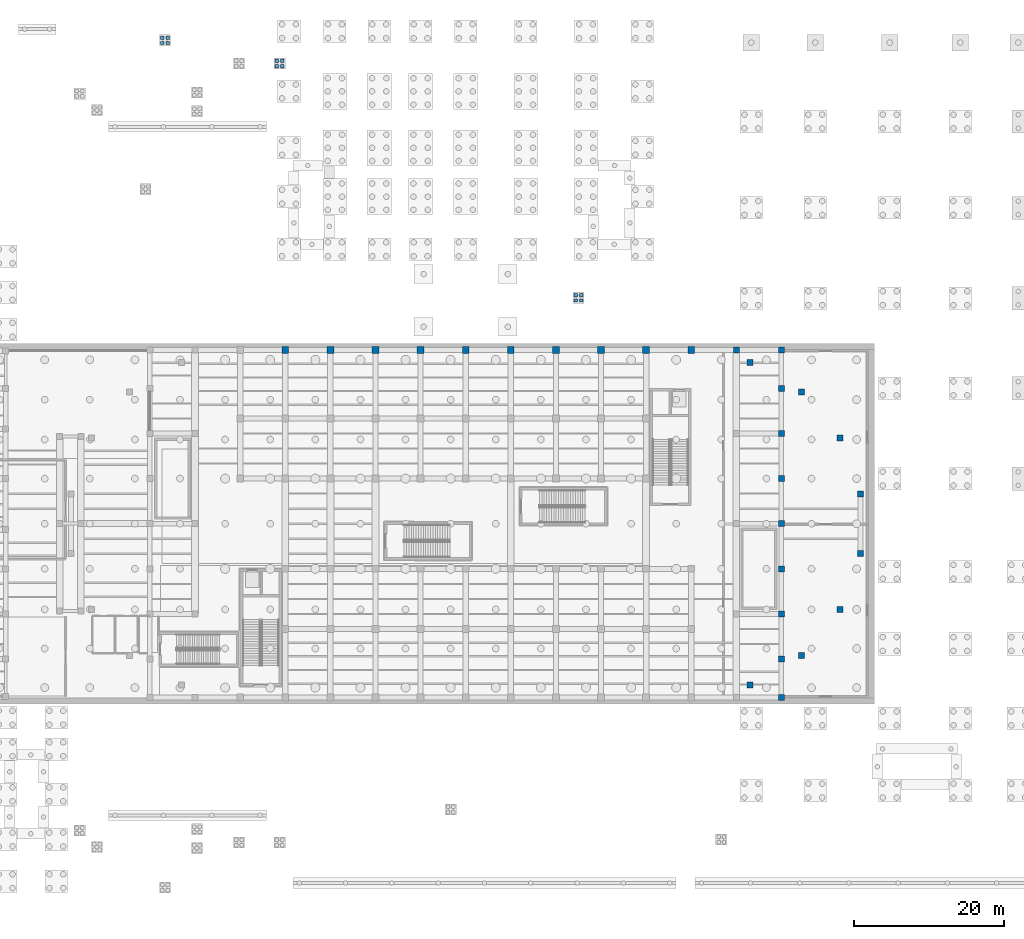
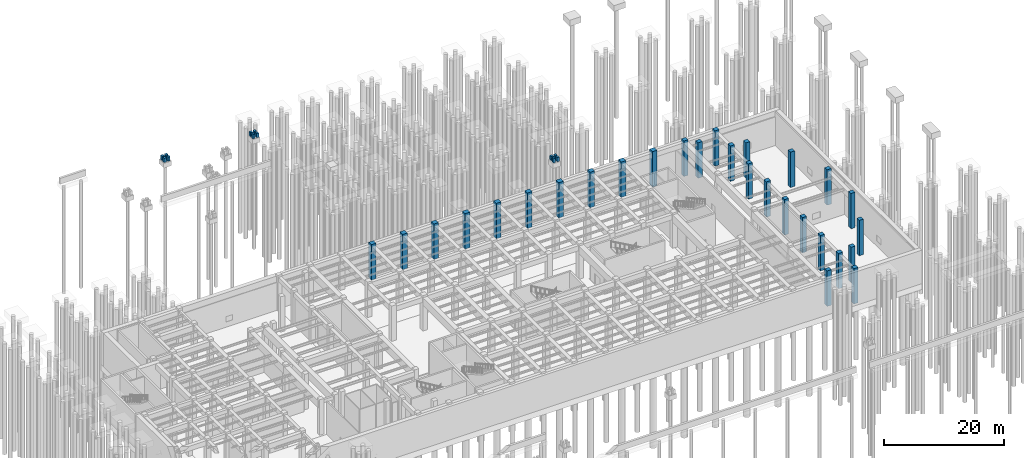
# One storey, part 8 of 30: 40 columns.
"""IFC4 building model written with IfcOpenShell, lengths in metres."""

from ifc_helpers import new_model, si_unit, direction, frame, origin, origin_2d, place, context, subcontext, project, spatial, rectangle, extrude, material, material_profile, profile_set, type_object, element, save


model = new_model("IFC4")

# Units and contexts
model_context = context("Model", 3, precision=1e-05, world=origin(), true_north=direction((0.0, 1.0)))
body_context = subcontext(model_context, "Body", "Model", "MODEL_VIEW")
ifc_project = project(units=[si_unit("LENGTHUNIT", "METRE"), si_unit("AREAUNIT", "SQUARE_METRE"), si_unit("VOLUMEUNIT", "CUBIC_METRE"), si_unit("PLANEANGLEUNIT", "RADIAN"), si_unit("MASSUNIT", "GRAM", prefix="KILO")], contexts=[model_context])

# Site, building, storey
site_placement = place(None, origin())
site = spatial("IfcSite", under=ifc_project, at=site_placement, CompositionType="ELEMENT")
building_placement = place(site_placement, origin())
building = spatial("IfcBuilding", under=site, at=building_placement, Name="Kolvaren Corner Interchange", CompositionType="ELEMENT")
storey_placement = place(building_placement, frame((0.0, 0.0, -7.199951171875)))
storey = spatial("IfcBuildingStorey", under=building, at=storey_placement, Name="B1", CompositionType="ELEMENT", Elevation=-7.199951171875)

# Columns
ifc_material_1 = material(Name="Concrete C35/45", Category="concrete")
ifc_material_profile_1 = material_profile(ifc_material_1, rectangle(XDim=0.449951171875, YDim=0.449951171875, at=origin_2d()), Name="RC 450x450")
ifc_profile_set_1 = profile_set([ifc_material_profile_1], Name="Concrete C35/45")
column_type_1 = type_object("IfcColumnType", Name="COL-RC450", PredefinedType="COLUMN", material=ifc_profile_set_1)
for number, where, z_axis, x_axis, name in (
    (1, (49.639892578125, 111.93994140625, 4.619873046875), (0.0, 0.0, 1.0), (1.0, 0.0, 0.0), "Street Sidewalk Plinth Pier 005"),
    (2, (49.639892578125, 112.659912109375, 4.619873046875), (0.0, 0.0, 1.0), (1.0, 0.0, 0.0), "Street Sidewalk Plinth Pier 006"),
    (3, (50.360107421875, 111.93994140625, 4.619873046875), (0.0, 0.0, 1.0), (1.0, 0.0, 0.0), "Street Sidewalk Plinth Pier 007"),
    (4, (50.360107421875, 112.659912109375, 4.619873046875), (0.0, 0.0, 1.0), (1.0, 0.0, 0.0), "Street Sidewalk Plinth Pier 008"),
    (5, (64.889892578125, 108.840087890625, 5.969970703125), (0.0, 0.0, 1.0), (1.0, 0.0, 0.0), "Northwest Cycle Hub Civic Steps Top Plinth Pier 021"),
    (6, (64.889892578125, 109.56005859375, 5.969970703125), (0.0, 0.0, 1.0), (1.0, 0.0, 0.0), "Northwest Cycle Hub Civic Steps Top Plinth Pier 022"),
    (7, (65.610107421875, 108.840087890625, 5.969970703125), (0.0, 0.0, 1.0), (1.0, 0.0, 0.0), "Northwest Cycle Hub Civic Steps Top Plinth Pier 023"),
    (8, (65.610107421875, 109.56005859375, 5.969970703125), (0.0, 0.0, 1.0), (1.0, 0.0, 0.0), "Northwest Cycle Hub Civic Steps Top Plinth Pier 024"),
):
    element("IfcColumn", number, at=place(storey_placement, frame(where, z_axis=z_axis, x_axis=x_axis)), inside=storey, type_object=column_type_1, Name=name, PredefinedType="COLUMN", context=body_context, shape_type="SweptSolid", body=[
        extrude(rectangle(XDim=0.449951171875, YDim=0.449951171875, at=origin_2d()), origin(), (0.0, 0.0, 1.0), 0.85009765625),
    ])
for number, where, z_axis, x_axis, name in (
    (9, (104.639892578125, 77.68994140625, 6.06005859375), (0.0, 0.0, 1.0), (1.0, 0.0, 0.0), "Level 01 North Monsoon Retention Court Paving Slab Plinth Pier 061"),
    (10, (104.639892578125, 78.409912109375, 6.06005859375), (0.0, 0.0, 1.0), (1.0, 0.0, 0.0), "Level 01 North Monsoon Retention Court Paving Slab Plinth Pier 062"),
    (11, (105.360107421875, 77.68994140625, 6.06005859375), (0.0, 0.0, 1.0), (1.0, 0.0, 0.0), "Level 01 North Monsoon Retention Court Paving Slab Plinth Pier 063"),
    (12, (105.360107421875, 78.409912109375, 6.06005859375), (0.0, 0.0, 1.0), (1.0, 0.0, 0.0), "Level 01 North Monsoon Retention Court Paving Slab Plinth Pier 064"),
):
    element("IfcColumn", number, at=place(storey_placement, frame(where, z_axis=z_axis, x_axis=x_axis)), inside=storey, type_object=column_type_1, Name=name, PredefinedType="COLUMN", context=body_context, shape_type="SweptSolid", body=[
        extrude(rectangle(XDim=0.449951171875, YDim=0.449951171875, at=origin_2d()), origin(), (0.0, 0.0, 1.0), 0.849853515625),
    ])
ifc_material_2 = material(Name="Concrete C40/50", Category="concrete")
ifc_material_profile_2 = material_profile(ifc_material_2, rectangle(XDim=0.800048828125, YDim=0.800048828125, at=origin_2d()), Name="RC 800x800")
ifc_profile_set_2 = profile_set([ifc_material_profile_2], Name="Concrete C40/50")
column_type_2 = type_object("IfcColumnType", Name="COL-RC800", PredefinedType="COLUMN", material=ifc_profile_set_2)
for number, where, z_axis, x_axis, name in (
    (13, (126.0, 71.10009765625, 0.0), (0.0, 0.0, 1.0), (1.0, 0.0, 0.0), "Storey B1 Structural Column 0743"),
    (14, (132.0, 24.89990234375, 0.0), (0.0, 0.0, 1.0), (1.0, 0.0, 0.0), "Storey B1 Structural Column 0747"),
    (15, (132.0, 30.0, 0.0), (0.0, 0.0, 1.0), (1.0, 0.0, 0.0), "Storey B1 Structural Column 0751"),
    (16, (132.0, 36.0, 0.0), (0.0, 0.0, 1.0), (1.0, 0.0, 0.0), "Storey B1 Structural Column 0755"),
    (17, (132.0, 42.0, 0.0), (0.0, 0.0, 1.0), (1.0, 0.0, 0.0), "Storey B1 Structural Column 0759"),
    (18, (132.0, 48.0, 0.0), (0.0, 0.0, 1.0), (1.0, 0.0, 0.0), "Storey B1 Structural Column 0763"),
    (19, (132.0, 54.0, 0.0), (0.0, 0.0, 1.0), (1.0, 0.0, 0.0), "Storey B1 Structural Column 0767"),
    (20, (132.0, 60.0, 0.0), (0.0, 0.0, 1.0), (1.0, 0.0, 0.0), "Storey B1 Structural Column 0771"),
    (21, (132.0, 66.0, 0.0), (0.0, 0.0, 1.0), (1.0, 0.0, 0.0), "Storey B1 Structural Column 0775"),
    (22, (132.0, 71.10009765625, 0.0), (0.0, 0.0, 1.0), (1.0, 0.0, 0.0), "Storey B1 Structural Column 0779"),
    (23, (127.81494140625, 26.528076171875, 0.0), (0.0, 0.0, 1.0), (1.0, 0.0, 0.0), "Storey B1 Structural Column 0815"),
    (24, (134.68798828125, 30.49609375, 0.0), (0.0, 0.0, 1.0), (1.0, 0.0, 0.0), "Storey B1 Structural Column 0819"),
    (25, (139.7890625, 36.574951171875, 0.0), (0.0, 0.0, 1.0), (1.0, 0.0, 0.0), "Storey B1 Structural Column 0823"),
    (26, (142.5029296875, 44.031982421875, 0.0), (0.0, 0.0, 1.0), (1.0, 0.0, 0.0), "Storey B1 Structural Column 0827"),
    (27, (142.5029296875, 51.968017578125, 0.0), (0.0, 0.0, 1.0), (1.0, 0.0, 0.0), "Storey B1 Structural Column 0831"),
    (28, (139.7890625, 59.425048828125, 0.0), (0.0, 0.0, 1.0), (1.0, 0.0, 0.0), "Storey B1 Structural Column 0835"),
    (29, (134.68798828125, 65.50390625, 0.0), (0.0, 0.0, 1.0), (1.0, 0.0, 0.0), "Storey B1 Structural Column 0839"),
    (30, (127.81494140625, 69.471923828125, 0.0), (0.0, 0.0, 1.0), (1.0, 0.0, 0.0), "Storey B1 Structural Column 0843"),
):
    element("IfcColumn", number, at=place(storey_placement, frame(where, z_axis=z_axis, x_axis=x_axis)), inside=storey, type_object=column_type_2, Name=name, PredefinedType="COLUMN", context=body_context, shape_type="SweptSolid", body=[
        extrude(rectangle(XDim=0.800048828125, YDim=0.800048828125, at=origin_2d()), origin(), (0.0, 0.0, 1.0), 7.199951171875),
    ])
ifc_material_3 = material(Name="Concrete C40/50", Category="concrete")
ifc_material_profile_3 = material_profile(ifc_material_3, rectangle(XDim=0.89990234375, YDim=0.89990234375, at=origin_2d()), Name="RC 900x900")
ifc_profile_set_3 = profile_set([ifc_material_profile_3], Name="Concrete C40/50")
column_type_3 = type_object("IfcColumnType", Name="COL-RC900", PredefinedType="COLUMN", material=ifc_profile_set_3)
for number, where, z_axis, x_axis, name in (
    (31, (66.0, 71.10009765625, 0.0), (0.0, 0.0, 1.0), (1.0, 0.0, 0.0), "Storey B1 Structural Column 0499"),
    (32, (72.0, 71.10009765625, 0.0), (0.0, 0.0, 1.0), (1.0, 0.0, 0.0), "Storey B1 Structural Column 0519"),
    (33, (78.0, 71.10009765625, 0.0), (0.0, 0.0, 1.0), (1.0, 0.0, 0.0), "Storey B1 Structural Column 0539"),
    (34, (84.0, 71.10009765625, 0.0), (0.0, 0.0, 1.0), (1.0, 0.0, 0.0), "Storey B1 Structural Column 0559"),
    (35, (90.0, 71.10009765625, 0.0), (0.0, 0.0, 1.0), (1.0, 0.0, 0.0), "Storey B1 Structural Column 0579"),
    (36, (96.0, 71.10009765625, 0.0), (0.0, 0.0, 1.0), (1.0, 0.0, 0.0), "Storey B1 Structural Column 0599"),
    (37, (102.0, 71.10009765625, 0.0), (0.0, 0.0, 1.0), (1.0, 0.0, 0.0), "Storey B1 Structural Column 0619"),
    (38, (108.0, 71.10009765625, 0.0), (0.0, 0.0, 1.0), (1.0, 0.0, 0.0), "Storey B1 Structural Column 0639"),
    (39, (114.0, 71.10009765625, 0.0), (0.0, 0.0, 1.0), (1.0, 0.0, 0.0), "Storey B1 Structural Column 0659"),
    (40, (120.0, 71.10009765625, 0.0), (0.0, 0.0, 1.0), (1.0, 0.0, 0.0), "Storey B1 Structural Column 0673"),
):
    element("IfcColumn", number, at=place(storey_placement, frame(where, z_axis=z_axis, x_axis=x_axis)), inside=storey, type_object=column_type_3, Name=name, PredefinedType="COLUMN", context=body_context, shape_type="SweptSolid", body=[
        extrude(rectangle(XDim=0.89990234375, YDim=0.89990234375, at=origin_2d()), origin(), (0.0, 0.0, 1.0), 7.199951171875),
    ])

save(model, "model.ifc")
